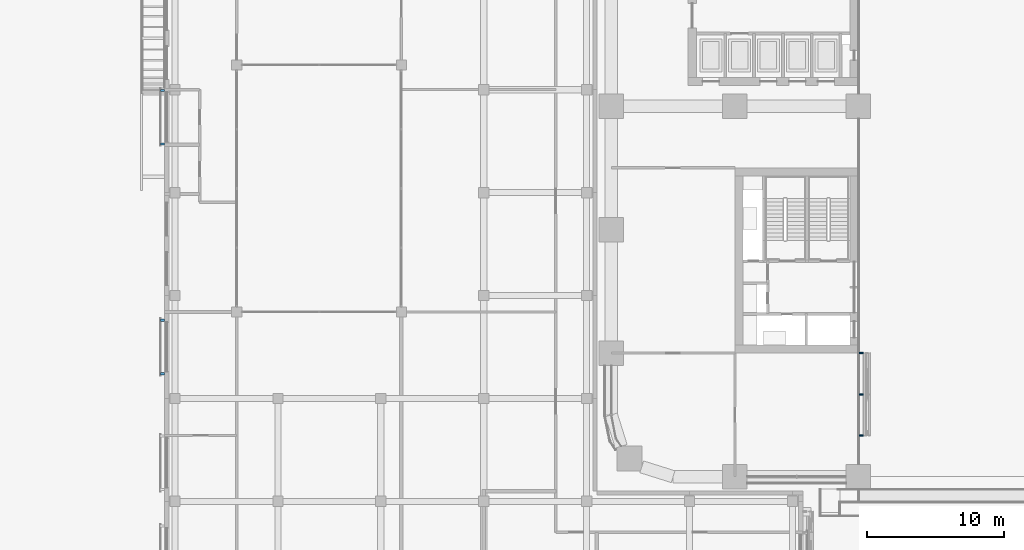
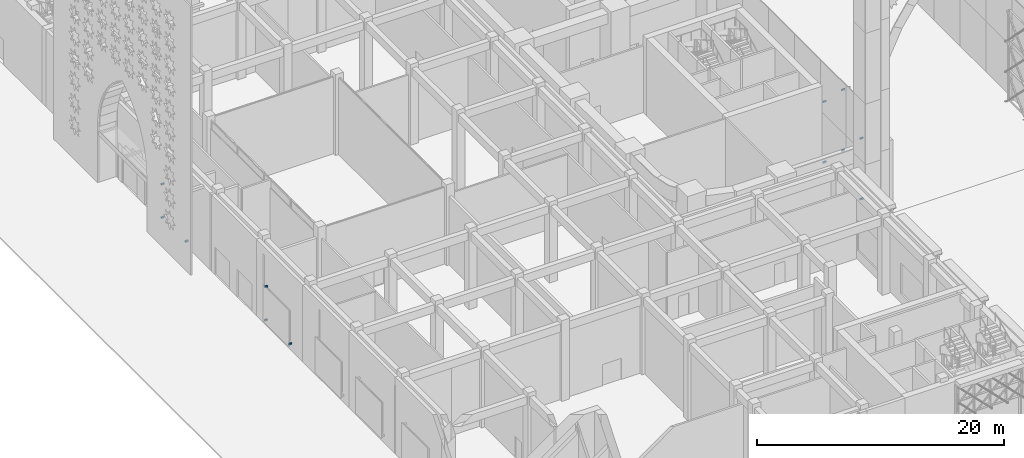
# One storey, part 42 of 64: 12 discrete accessories.
"""IFC4 building model written with IfcOpenShell, lengths in metres."""

from ifc_helpers import new_model, si_unit, direction, frame, origin, origin_2d, place, context, subcontext, project, spatial, rectangle, extrude, element, save


model = new_model("IFC4")

# Units and contexts
model_context = context("Model", 3, precision=1e-05, world=origin(), true_north=direction((0.0, 1.0)))
body_context = subcontext(model_context, "Body", "Model", "MODEL_VIEW")
ifc_project = project(units=[si_unit("LENGTHUNIT", "METRE"), si_unit("AREAUNIT", "SQUARE_METRE"), si_unit("VOLUMEUNIT", "CUBIC_METRE"), si_unit("PLANEANGLEUNIT", "RADIAN"), si_unit("MASSUNIT", "GRAM", prefix="KILO")], contexts=[model_context])

# Site, building, storey
site_placement = place(None, origin())
site = spatial("IfcSite", under=ifc_project, at=site_placement, CompositionType="ELEMENT")
building_placement = place(site_placement, origin())
building = spatial("IfcBuilding", under=site, at=building_placement, Name="Tessera Arch", CompositionType="ELEMENT")
storey_placement = place(building_placement, origin())
storey = spatial("IfcBuildingStorey", under=building, at=storey_placement, Name="L00", CompositionType="ELEMENT", Elevation=0.0)

# Discrete accessories
for number, where, z_axis, x_axis, name in (
    (1, (18.219970703125, 3.0, -0.050048828125), (0.0, 0.0, 1.0), (1.0, 0.0, 0.0), "Lattice bracket"),
    (2, (18.219970703125, 3.0, 5.949951171875), (0.0, 0.0, 1.0), (1.0, 0.0, 0.0), "Lattice bracket"),
    (3, (18.219970703125, 6.0, 2.949951171875), (0.0, 0.0, 1.0), (1.0, 0.0, 0.0), "Lattice bracket"),
    (4, (18.219970703125, 6.0, 8.949951171875), (0.0, 0.0, 1.0), (1.0, 0.0, 0.0), "Lattice bracket"),
    (5, (18.219970703125, 9.0, -0.050048828125), (0.0, 0.0, 1.0), (1.0, 0.0, 0.0), "Lattice bracket"),
    (6, (18.219970703125, 9.0, 5.949951171875), (0.0, 0.0, 1.0), (1.0, 0.0, 0.0), "Lattice bracket"),
):
    element("IfcDiscreteAccessory", number, at=place(storey_placement, frame(where, z_axis=z_axis, x_axis=x_axis)), inside=storey, Name=name, PredefinedType="BRACKET", context=body_context, shape_type="SweptSolid", body=[
        extrude(rectangle(XDim=0.300048828125, YDim=0.10009765625, at=origin_2d()), origin(), (0.0, 0.0, 1.0), 0.10009765625),
    ])
for number, where, z_axis, x_axis, name in (
    (7, (-32.699951171875, 28.14990234375, 0.675048828125), (0.0, 0.0, 1.0), (-1.0, 0.0, 0.0), "Screen bracket"),
    (8, (-32.699951171875, 24.25, 0.675048828125), (0.0, 0.0, 1.0), (-1.0, 0.0, 0.0), "Screen bracket"),
    (9, (-32.699951171875, 28.14990234375, 3.97509765625), (0.0, 0.0, 1.0), (-1.0, 0.0, 0.0), "Screen bracket"),
    (10, (-32.699951171875, 11.39990234375, 0.675048828125), (0.0, 0.0, 1.0), (-1.0, 0.0, 0.0), "Screen bracket"),
    (11, (-32.699951171875, 7.5, 0.675048828125), (0.0, 0.0, 1.0), (-1.0, 0.0, 0.0), "Screen bracket"),
    (12, (-32.699951171875, 11.39990234375, 3.97509765625), (0.0, 0.0, 1.0), (-1.0, 0.0, 0.0), "Screen bracket"),
):
    element("IfcDiscreteAccessory", number, at=place(storey_placement, frame(where, z_axis=z_axis, x_axis=x_axis)), inside=storey, Name=name, PredefinedType="BRACKET", context=body_context, shape_type="SweptSolid", body=[
        extrude(rectangle(XDim=0.300048828125, YDim=0.14990234375, at=origin_2d()), origin(), (0.0, 0.0, 1.0), 0.14990234375),
    ])

save(model, "model.ifc")
